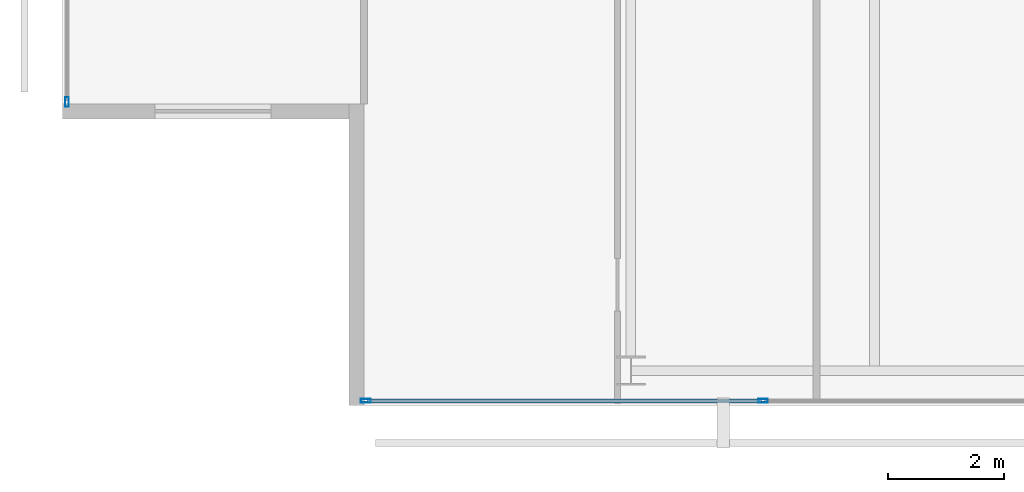
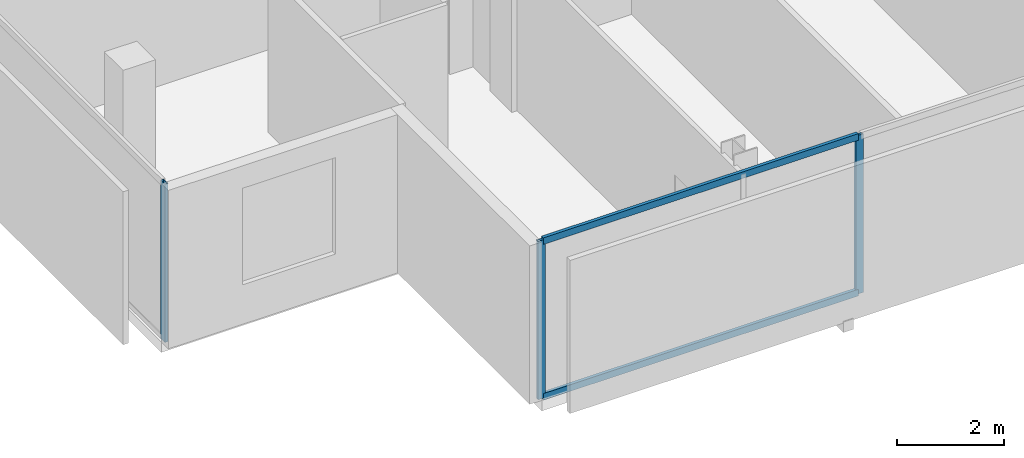
# One storey, part 2 of 25: 5 members, 2 elements without a shape of their own.
"""IFC4 building model written with IfcOpenShell, lengths in metres."""

from ifc_helpers import new_model, si_unit, direction, frame, origin, origin_2d, place, context, subcontext, project, spatial, hollow_rectangle, extrude, material, layer, layer_set, material_profile, profile_set, type_object, element, aggregate, save


model = new_model("IFC4")

# Units and contexts
model_context = context("Model", 3, precision=1e-05, world=origin(), true_north=direction((0.0, 1.0)))
body_context = subcontext(model_context, "Body", "Model", "MODEL_VIEW")
ifc_project = project(units=[si_unit("LENGTHUNIT", "METRE"), si_unit("AREAUNIT", "SQUARE_METRE"), si_unit("VOLUMEUNIT", "CUBIC_METRE"), si_unit("PLANEANGLEUNIT", "RADIAN"), si_unit("MASSUNIT", "GRAM", prefix="KILO")], contexts=[model_context])

# Site, building, storey
site_placement = place(None, origin())
site = spatial("IfcSite", under=ifc_project, at=site_placement, CompositionType="ELEMENT")
building_placement = place(site_placement, origin())
building = spatial("IfcBuilding", under=site, at=building_placement, Name="Maruvema Waterfront Hotel and Observation Tower", CompositionType="ELEMENT")
storey_placement = place(building_placement, frame((0.0, 0.0, 308.699951171875)))
storey = spatial("IfcBuildingStorey", under=building, at=storey_placement, Name="L76", CompositionType="ELEMENT", Elevation=308.699951171875)

# Curtain wall, members
ifc_material_1 = material(Name="Anodised bronze aluminium and solar-control low-E IGU", Category="aluminium")
ifc_layer = layer(ifc_material_1, 0.159912109375, Name="Zone 3 Champagne Inner Thermal Curtain Wall System CW-04")
ifc_layer_set = layer_set([ifc_layer], Name="Anodised bronze aluminium and solar-control low-E IGU")
curtain_wall_type = type_object("IfcCurtainWallType", Name="Zone 3 Champagne Inner Thermal Curtain Wall System CW-04", PredefinedType="USERDEFINED", material=ifc_layer_set)
curtain_wall_1_placement = place(storey_placement, origin())
curtain_wall_1 = element("IfcCurtainWall", 1, at=curtain_wall_1_placement, inside=storey, type_object=curtain_wall_type, Name="L76 Curtain Wall CW-L76-S", ObjectType="UNITISED CURTAIN WALL", PredefinedType="USERDEFINED")
ifc_material_2 = material(Name="Anodised architectural bronze aluminium", Category="aluminium")
ifc_material_profile_1 = material_profile(ifc_material_2, hollow_rectangle(XDim=0.070068359375, YDim=0.14990234375, WallThickness=0.00390625, at=origin_2d()), Name="ALU-T70x150")
ifc_profile_set_1 = profile_set([ifc_material_profile_1], Name="Anodised architectural bronze aluminium")
member_type_1 = type_object("IfcMemberType", Name="Curtain Wall Horizontal Transom ALU-T70x150", PredefinedType="USERDEFINED", material=ifc_profile_set_1)
member_1_placement = place(storey_placement, frame((20.659912109375, 9.280029296875, 0.030029296875), z_axis=(1.0, 0.0, 0.0), x_axis=(0.0, 1.0, 0.0)))
member_1 = element("IfcMember", 2, at=member_1_placement, type_object=member_type_1, Name="CW-04 transom 1.1", ObjectType="TRANSOM", PredefinedType="USERDEFINED", context=body_context, shape_type="SweptSolid", body=[
    extrude(hollow_rectangle(XDim=0.070068359375, YDim=0.14990234375, WallThickness=0.00390625, at=origin_2d()), origin(), (0.0, 0.0, 1.0), 6.7900390625),
])
member_2_placement = place(storey_placement, frame((20.659912109375, 9.280029296875, 3.580078125), z_axis=(1.0, 0.0, 0.0), x_axis=(0.0, 1.0, 0.0)))
member_2 = element("IfcMember", 3, at=member_2_placement, type_object=member_type_1, Name="CW-04 transom 1.2", ObjectType="TRANSOM", PredefinedType="USERDEFINED", context=body_context, shape_type="SweptSolid", body=[
    extrude(hollow_rectangle(XDim=0.070068359375, YDim=0.14990234375, WallThickness=0.00390625, at=origin_2d()), origin(), (0.0, 0.0, 1.0), 6.7900390625),
])
ifc_material_3 = material(Name="Anodised architectural bronze aluminium", Category="aluminium")
ifc_material_profile_2 = material_profile(ifc_material_3, hollow_rectangle(XDim=0.06494140625, YDim=0.1650390625, WallThickness=0.00390625, at=origin_2d()), Name="ALU-M65x165")
ifc_profile_set_2 = profile_set([ifc_material_profile_2], Name="Anodised architectural bronze aluminium")
member_type_2 = type_object("IfcMemberType", Name="Curtain Wall Primary Mullion ALU-M65x165", PredefinedType="MULLION", material=ifc_profile_set_2)
member_3_placement = place(storey_placement, frame((20.6298828125, 9.280029296875, 0.0), z_axis=(0.0, 0.0, 1.0), x_axis=(0.0, 1.0, 0.0)))
member_3 = element("IfcMember", 4, at=member_3_placement, type_object=member_type_2, Name="CW-04 mullion 1", PredefinedType="MULLION", context=body_context, shape_type="SweptSolid", body=[
    extrude(hollow_rectangle(XDim=0.06494140625, YDim=0.1650390625, WallThickness=0.00390625, at=origin_2d()), origin(), (0.0, 0.0, 1.0), 3.610107421875),
])
member_4_placement = place(storey_placement, frame((27.47998046875, 9.280029296875, 0.0), z_axis=(0.0, 0.0, 1.0), x_axis=(0.0, 1.0, 0.0)))
member_4 = element("IfcMember", 5, at=member_4_placement, type_object=member_type_2, Name="CW-04 mullion 2", PredefinedType="MULLION", context=body_context, shape_type="SweptSolid", body=[
    extrude(hollow_rectangle(XDim=0.06494140625, YDim=0.1650390625, WallThickness=0.00390625, at=origin_2d()), origin(), (0.0, 0.0, 1.0), 3.610107421875),
])
aggregate(curtain_wall_1, [member_3, member_4, member_1, member_2])

# Curtain wall, member
curtain_wall_2_placement = place(storey_placement, origin())
curtain_wall_2 = element("IfcCurtainWall", 6, at=curtain_wall_2_placement, inside=storey, type_object=curtain_wall_type, Name="L76 Curtain Wall CW-L76-W", ObjectType="UNITISED CURTAIN WALL", PredefinedType="USERDEFINED")
member_5_placement = place(storey_placement, frame((15.47998046875, 14.429931640625, 0.0), z_axis=(0.0, 0.0, 1.0), x_axis=(1.0, 0.0, 0.0)))
member_5 = element("IfcMember", 7, at=member_5_placement, type_object=member_type_2, Name="CW-04 mullion 6", PredefinedType="MULLION", context=body_context, shape_type="SweptSolid", body=[
    extrude(hollow_rectangle(XDim=0.06494140625, YDim=0.1650390625, WallThickness=0.00390625, at=origin_2d()), origin(), (0.0, 0.0, 1.0), 3.610107421875),
])
aggregate(curtain_wall_2, [member_5])

save(model, "model.ifc")
